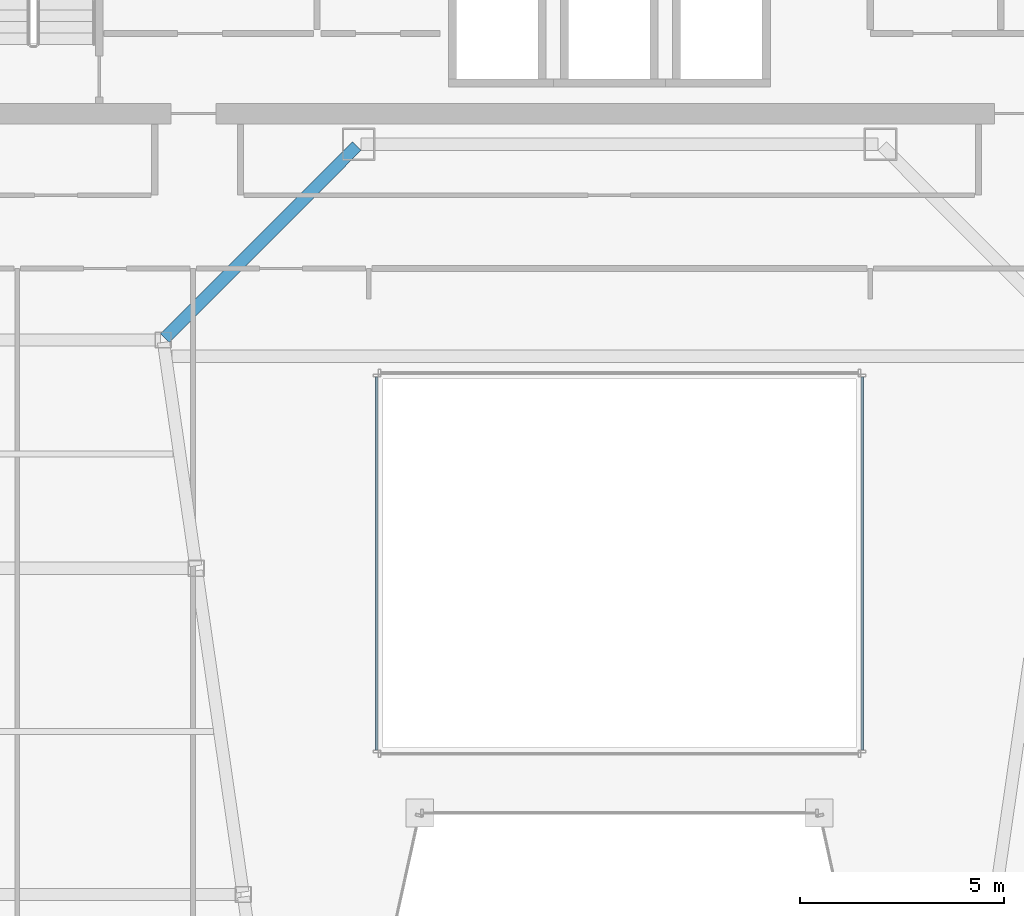
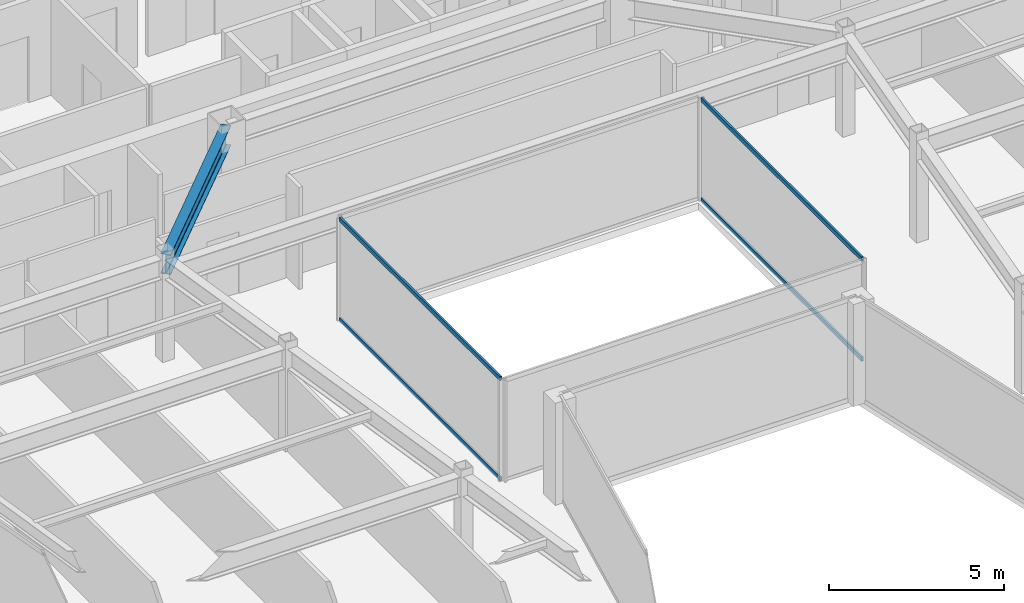
# One storey, part 12 of 35: 4 members, 1 beam, 2 elements without a shape of their own.
"""IFC4 building model written with IfcOpenShell, lengths in metres."""

from ifc_helpers import new_model, si_unit, direction, frame, origin, origin_2d, place, context, subcontext, project, spatial, hollow_rectangle, i_section, extrude, material, material_profile, profile_set, type_object, element, aggregate, save


model = new_model("IFC4")

# Units and contexts
model_context = context("Model", 3, precision=1e-05, world=origin(), true_north=direction((0.0, 1.0)))
body_context = subcontext(model_context, "Body", "Model", "MODEL_VIEW")
ifc_project = project(units=[si_unit("LENGTHUNIT", "METRE"), si_unit("AREAUNIT", "SQUARE_METRE"), si_unit("VOLUMEUNIT", "CUBIC_METRE"), si_unit("PLANEANGLEUNIT", "RADIAN"), si_unit("MASSUNIT", "GRAM", prefix="KILO")], contexts=[model_context])

# Site, building, storey
site_placement = place(None, origin())
site = spatial("IfcSite", under=ifc_project, at=site_placement, CompositionType="ELEMENT")
building_placement = place(site_placement, origin())
building = spatial("IfcBuilding", under=site, at=building_placement, Name="Saevonmaru Cultural Tower", CompositionType="ELEMENT")
storey_placement = place(building_placement, frame((0.0, 0.0, 194.199951171875)))
storey = spatial("IfcBuildingStorey", under=building, at=storey_placement, Name="L44", CompositionType="ELEMENT", Elevation=194.199951171875)

# Beam
ifc_material_1 = material(Name="Steel SM355", Category="steel")
ifc_material_profile_1 = material_profile(ifc_material_1, i_section(OverallWidth=0.300048828125, OverallDepth=0.699951171875, WebThickness=0.012939453125, FlangeThickness=0.02392578125, FilletRadius=0.02587890625, at=origin_2d()), Name="H-700x300x13x24")
ifc_profile_set_1 = profile_set([ifc_material_profile_1], Name="Steel SM355")
beam_type = type_object("IfcBeamType", Name="BM-G-H700", PredefinedType="BEAM", material=ifc_profile_set_1)
beam_placement = place(storey_placement, frame((18.850341796875, 37.642578125, 3.199951171875), z_axis=(0.706538566564, 0.707674539572, 0.0), x_axis=(-0.707674539572, 0.706538566564, 0.0)))
element("IfcBeam", 1, at=beam_placement, inside=storey, type_object=beam_type, Name="L44 West Atrium Girder 4", PredefinedType="BEAM", context=body_context, shape_type="SweptSolid", body=[
    extrude(i_section(OverallWidth=0.300048828125, OverallDepth=0.699951171875, WebThickness=0.012939453125, FlangeThickness=0.02392578125, FilletRadius=0.02587890625, at=origin_2d()), origin(), (0.0, 0.0, 1.0), 6.662353515625),
])

# Curtain wall, members
ifc_material_2 = material(Name="Satin Bronze Anodised Aluminium", Category="aluminium")
curtain_wall_type = type_object("IfcCurtainWallType", Name="CW-ATR-GLZ", PredefinedType="NOTDEFINED", material=ifc_material_2)
curtain_wall_1_placement = place(storey_placement, origin())
curtain_wall_1 = element("IfcCurtainWall", 2, at=curtain_wall_1_placement, inside=storey, type_object=curtain_wall_type, Name="L44 Vertical Atrium Glazed Smoke Screen 2", PredefinedType="NOTDEFINED")
ifc_material_profile_2 = material_profile(ifc_material_2, hollow_rectangle(XDim=0.06494140625, YDim=0.14990234375, WallThickness=0.00390625, at=origin_2d()), Name="ALU-TRAN-150x65x4")
ifc_profile_set_2 = profile_set([ifc_material_profile_2], Name="Satin Bronze Anodised Aluminium")
member_type = type_object("IfcMemberType", Name="TR-CW-INT-150x65", PredefinedType="USERDEFINED", material=ifc_profile_set_2)
member_1_placement = place(storey_placement, frame((35.949951171875, 27.54248046875, 0.032470703125), z_axis=(0.0, 1.0, 0.0), x_axis=(-1.0, 0.0, 0.0)))
member_1 = element("IfcMember", 3, at=member_1_placement, type_object=member_type, Name="CW-ATR-L44-2 transom 1.1", ObjectType="TRANSOM", PredefinedType="USERDEFINED", context=body_context, shape_type="SweptSolid", body=[
    extrude(hollow_rectangle(XDim=0.06494140625, YDim=0.14990234375, WallThickness=0.00390625, at=origin_2d()), origin(), (0.0, 0.0, 1.0), 9.155029296875),
])
member_2_placement = place(storey_placement, frame((35.949951171875, 27.54248046875, 3.517578125), z_axis=(0.0, 1.0, 0.0), x_axis=(-1.0, 0.0, 0.0)))
member_2 = element("IfcMember", 4, at=member_2_placement, type_object=member_type, Name="CW-ATR-L44-2 transom 1.2", ObjectType="TRANSOM", PredefinedType="USERDEFINED", context=body_context, shape_type="SweptSolid", body=[
    extrude(hollow_rectangle(XDim=0.06494140625, YDim=0.14990234375, WallThickness=0.00390625, at=origin_2d()), origin(), (0.0, 0.0, 1.0), 9.155029296875),
])
aggregate(curtain_wall_1, [member_1, member_2])

curtain_wall_2_placement = place(storey_placement, origin())
curtain_wall_2 = element("IfcCurtainWall", 5, at=curtain_wall_2_placement, inside=storey, type_object=curtain_wall_type, Name="L44 Vertical Atrium Glazed Smoke Screen 4", PredefinedType="NOTDEFINED")
member_3_placement = place(storey_placement, frame((24.050048828125, 36.697509765625, 0.032470703125), z_axis=(0.0, -1.0, 0.0), x_axis=(1.0, 0.0, 0.0)))
member_3 = element("IfcMember", 6, at=member_3_placement, type_object=member_type, Name="CW-ATR-L44-4 transom 1.1", ObjectType="TRANSOM", PredefinedType="USERDEFINED", context=body_context, shape_type="SweptSolid", body=[
    extrude(hollow_rectangle(XDim=0.06494140625, YDim=0.14990234375, WallThickness=0.00390625, at=origin_2d()), origin(), (0.0, 0.0, 1.0), 9.155029296875),
])
member_4_placement = place(storey_placement, frame((24.050048828125, 36.697509765625, 3.517578125), z_axis=(0.0, -1.0, 0.0), x_axis=(1.0, 0.0, 0.0)))
member_4 = element("IfcMember", 7, at=member_4_placement, type_object=member_type, Name="CW-ATR-L44-4 transom 1.2", ObjectType="TRANSOM", PredefinedType="USERDEFINED", context=body_context, shape_type="SweptSolid", body=[
    extrude(hollow_rectangle(XDim=0.06494140625, YDim=0.14990234375, WallThickness=0.00390625, at=origin_2d()), origin(), (0.0, 0.0, 1.0), 9.155029296875),
])
aggregate(curtain_wall_2, [member_3, member_4])

save(model, "model.ifc")
